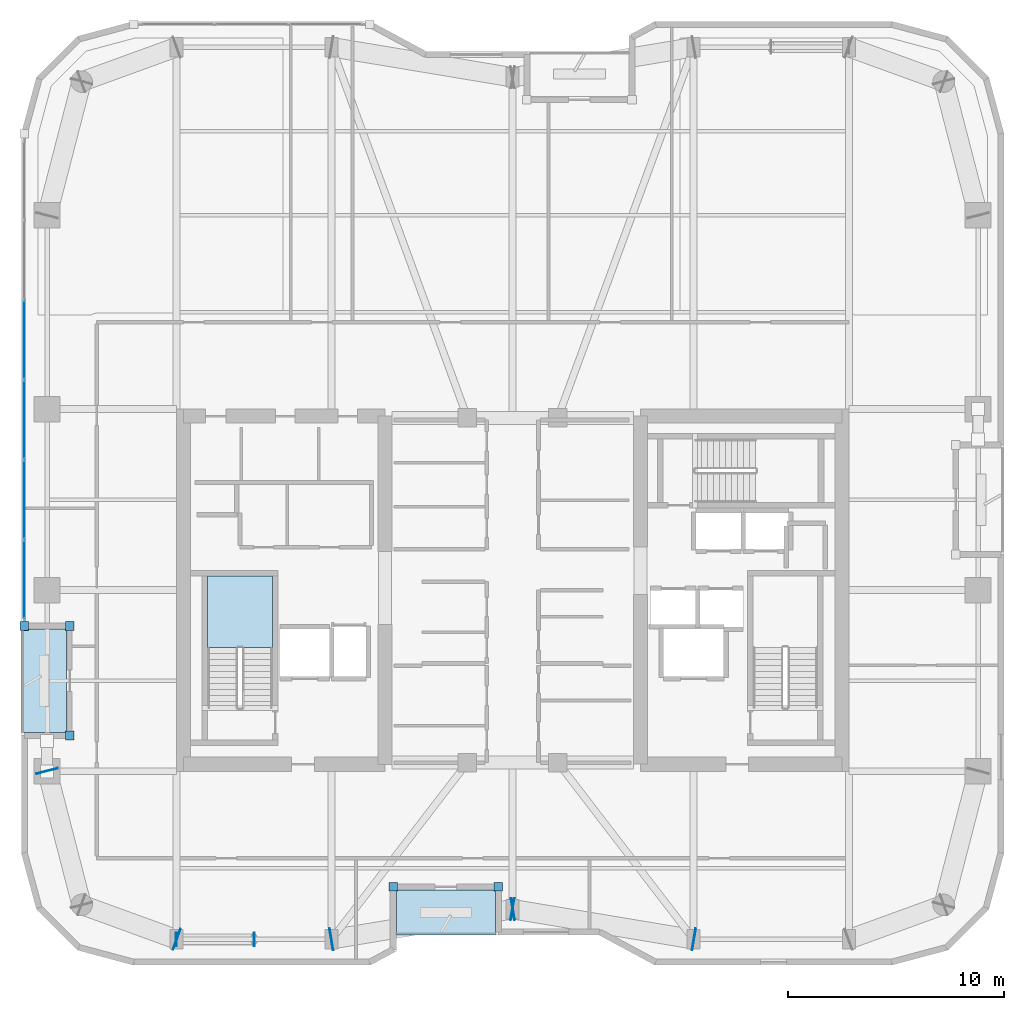
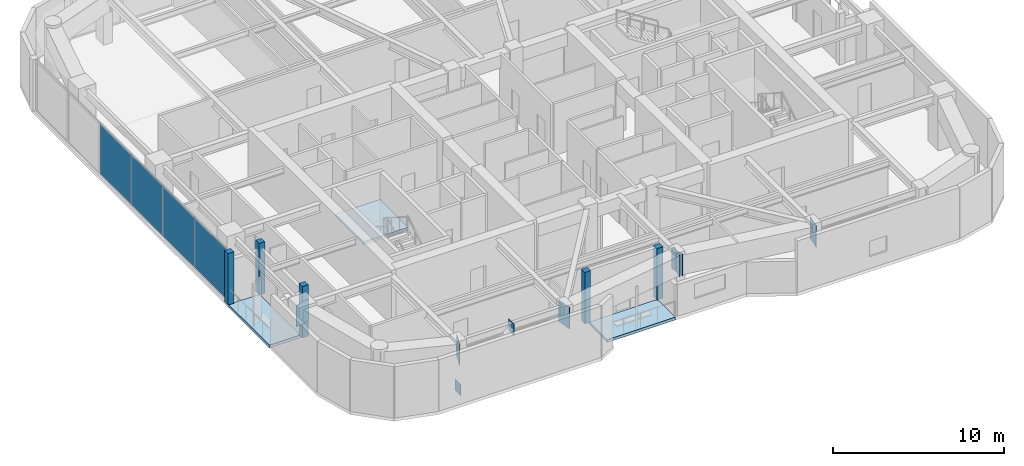
# One storey, part 12 of 21: 17 plates, 3 slabs, 2 elements without a shape of their own.
"""IFC4 building model written with IfcOpenShell, lengths in metres."""

from ifc_helpers import new_model, si_unit, direction, frame, origin, origin_2d, place, context, subcontext, project, spatial, polyline, rectangle, outline, extrude, material, layer, layer_set, type_object, element, aggregate, save


model = new_model("IFC4")

# Units and contexts
model_context = context("Model", 3, precision=1e-05, world=origin(), true_north=direction((0.0, 1.0)))
body_context = subcontext(model_context, "Body", "Model", "MODEL_VIEW")
ifc_project = project(units=[si_unit("LENGTHUNIT", "METRE"), si_unit("AREAUNIT", "SQUARE_METRE"), si_unit("VOLUMEUNIT", "CUBIC_METRE"), si_unit("PLANEANGLEUNIT", "RADIAN"), si_unit("MASSUNIT", "GRAM", prefix="KILO")], contexts=[model_context])

# Site, building, storey
site_placement = place(None, origin())
site = spatial("IfcSite", under=ifc_project, at=site_placement, CompositionType="ELEMENT")
building_placement = place(site_placement, origin())
building = spatial("IfcBuilding", under=site, at=building_placement, Name="Kiyonajd Concourse Tower", CompositionType="ELEMENT")
storey_placement = place(building_placement, frame((0.0, 0.0, 223.199951171875)))
storey = spatial("IfcBuildingStorey", under=building, at=storey_placement, Name="L56", CompositionType="ELEMENT", Elevation=223.199951171875)

# Plates
ifc_material_1 = material(Name="Steel ASTM A572 Grade 50", Category="steel")
ifc_layer_1 = layer(ifc_material_1, 0.028076171875)
ifc_layer_set_1 = layer_set([ifc_layer_1], Name="Steel ASTM A572 Grade 50")
plate_type_1 = type_object("IfcPlateType", Name="PL-CAP-450", PredefinedType="USERDEFINED", material=ifc_layer_set_1)
for number, where, z_axis, x_axis, name in (
    (1, (32.3916015625, 19.800048828125, -0.10888671875), (0.0, 0.0, 1.0), (-1.0, 0.0, 0.0), "L56 Hollow Brace End Cap Plate PBS"),
    (2, (36.00830078125, 19.800048828125, 2.93505859375), (0.0, 0.0, 1.0), (1.0, 0.0, 0.0), "L56 Hollow Brace Top Cap Plate PBS"),
):
    element("IfcPlate", number, at=place(storey_placement, frame(where, z_axis=z_axis, x_axis=x_axis)), inside=storey, type_object=plate_type_1, Name=name, ObjectType="CAP PLATE", PredefinedType="USERDEFINED", context=body_context, shape_type="SweptSolid", body=[
        extrude(rectangle(XDim=0.035888671875, YDim=0.6279296875, at=origin_2d()), origin(), (0.0, 0.0, 1.0), 0.803955078125),
    ])
ifc_layer_2 = layer(ifc_material_1, 0.031982421875)
ifc_layer_set_2 = layer_set([ifc_layer_2], Name="Steel ASTM A572 Grade 50")
plate_type_2 = type_object("IfcPlateType", Name="PL-CAP-540", PredefinedType="USERDEFINED", material=ifc_layer_set_2)
for number, where, z_axis, x_axis, name in (
    (3, (26.397216796875, 27.610595703125, 2.2099609375), (0.0, 0.0, 1.0), (-0.249873048837, 0.968278606324, 0.0), "L56 Welded Box Girder End Cap"),
    (4, (32.410400390625, 19.796142578125, 2.2099609375), (0.0, 0.0, 1.0), (0.939811951086, -0.341692107891, 0.0), "L56 Welded Box Girder End Cap"),
    (5, (39.589111328125, 19.798095703125, 2.2099609375), (0.0, 0.0, 1.0), (-0.986400586142, -0.164359008451, 0.0), "L56 Welded Box Girder End Cap"),
    (6, (48.010986328125, 21.201904296875, 2.2099609375), (0.0, 0.0, 1.0), (0.986400586142, 0.164359008451, 0.0), "L56 Welded Box Girder End Cap"),
    (7, (47.989013671875, 21.201904296875, 2.2099609375), (0.0, 0.0, 1.0), (-0.986400586142, 0.164359008451, 0.0), "L56 Welded Box Girder End Cap"),
    (8, (56.410888671875, 19.798095703125, 2.2099609375), (0.0, 0.0, 1.0), (0.986400586142, -0.164359008451, 0.0), "L56 Welded Box Girder End Cap"),
):
    element("IfcPlate", number, at=place(storey_placement, frame(where, z_axis=z_axis, x_axis=x_axis)), inside=storey, type_object=plate_type_2, Name=name, ObjectType="CAP PLATE", PredefinedType="USERDEFINED", context=body_context, shape_type="SweptSolid", body=[
        extrude(rectangle(XDim=0.035888671875, YDim=1.02001953125, at=origin_2d()), origin(), (0.0, 0.0, 1.0), 1.5400390625),
    ])

# Curtain wall, plates
ifc_material_2 = material(Name="Thermally Broken Anodised Aluminium", Category="aluminium")
ifc_layer_3 = layer(ifc_material_2, 0.179931640625)
ifc_layer_set_3 = layer_set([ifc_layer_3], Name="Thermally Broken Anodised Aluminium")
curtain_wall_type = type_object("IfcCurtainWallType", Name="CW-SYS-04", PredefinedType="NOTDEFINED", material=ifc_layer_set_3)
curtain_wall_placement = place(storey_placement, origin())
curtain_wall = element("IfcCurtainWall", 9, at=curtain_wall_placement, inside=storey, type_object=curtain_wall_type, Name="L56 Unitised Curtain Wall CW4", PredefinedType="NOTDEFINED")
ifc_material_3 = material(Name="Double Low-E Insulated Glass", Category="glass")
ifc_layer_4 = layer(ifc_material_3, 0.033935546875)
ifc_layer_set_4 = layer_set([ifc_layer_4], Name="Double Low-E Insulated Glass")
plate_type_3 = type_object("IfcPlateType", Name="PL-CW-VIS34", PredefinedType="CURTAIN_PANEL", material=ifc_layer_set_4)
plate_1_placement = place(storey_placement, frame((25.340087890625, 36.50146484375, 0.06494140625), z_axis=(0.0, 0.0, 1.0), x_axis=(0.0, 1.0, 0.0)))
plate_1 = element("IfcPlate", 10, at=plate_1_placement, type_object=plate_type_3, Name="CW4 panel 1.1", PredefinedType="CURTAIN_PANEL", context=body_context, shape_type="SweptSolid", body=[
    extrude(rectangle(XDim=3.61279296875, YDim=0.033935546875, at=origin_2d()), origin(), (0.0, 0.0, 1.0), 3.550048828125),
])
plate_2_placement = place(storey_placement, frame((25.340087890625, 40.1953125, 0.06494140625), z_axis=(0.0, 0.0, 1.0), x_axis=(0.0, 1.0, 0.0)))
plate_2 = element("IfcPlate", 11, at=plate_2_placement, type_object=plate_type_3, Name="CW4 panel 2.1", PredefinedType="CURTAIN_PANEL", context=body_context, shape_type="SweptSolid", body=[
    extrude(rectangle(XDim=3.645263671875, YDim=0.033935546875, at=origin_2d()), origin(), (0.0, 0.0, 1.0), 3.550048828125),
])
plate_3_placement = place(storey_placement, frame((25.340087890625, 43.90576171875, 0.06494140625), z_axis=(0.0, 0.0, 1.0), x_axis=(0.0, 1.0, 0.0)))
plate_3 = element("IfcPlate", 12, at=plate_3_placement, type_object=plate_type_3, Name="CW4 panel 3.1", PredefinedType="CURTAIN_PANEL", context=body_context, shape_type="SweptSolid", body=[
    extrude(rectangle(XDim=3.645263671875, YDim=0.033935546875, at=origin_2d()), origin(), (0.0, 0.0, 1.0), 3.550048828125),
])
plate_4_placement = place(storey_placement, frame((25.340087890625, 47.615966796875, 0.06494140625), z_axis=(0.0, 0.0, 1.0), x_axis=(0.0, 1.0, 0.0)))
plate_4 = element("IfcPlate", 13, at=plate_4_placement, type_object=plate_type_3, Name="CW4 panel 4.1", PredefinedType="CURTAIN_PANEL", context=body_context, shape_type="SweptSolid", body=[
    extrude(rectangle(XDim=3.645263671875, YDim=0.033935546875, at=origin_2d()), origin(), (0.0, 0.0, 1.0), 3.550048828125),
])
aggregate(curtain_wall, [plate_1, plate_2, plate_3, plate_4])

# Plates
ifc_layer_5 = layer(ifc_material_2, 0.39990234375)
ifc_layer_set_5 = layer_set([ifc_layer_5], Name="Thermally Broken Anodised Aluminium")
plate_type_4 = type_object("IfcPlateType", Name="PL-JMB-400", PredefinedType="USERDEFINED", material=ifc_layer_set_5)
for number, where, z_axis, x_axis, name in (
    (14, (27.43994140625, 29.260009765625, 0.0), (0.0, 0.0, 1.0), (1.0, 0.0, 0.0), "L56 Facade Jamb Closure Plate 01"),
    (15, (27.43994140625, 34.340087890625, 0.0), (0.0, 0.0, 1.0), (1.0, 0.0, 0.0), "L56 Facade Jamb Closure Plate 02"),
    (16, (25.340087890625, 34.340087890625, 0.0), (0.0, 0.0, 1.0), (1.0, 0.0, 0.0), "L56 Facade Jamb Closure Plate 03"),
    (17, (47.340087890625, 22.239990234375, 0.0), (0.0, 0.0, 1.0), (1.0, 0.0, 0.0), "L56 Facade Jamb Closure Plate 11"),
    (18, (42.4599609375, 22.239990234375, 0.0), (0.0, 0.0, 1.0), (1.0, 0.0, 0.0), "L56 Facade Jamb Closure Plate 12"),
):
    element("IfcPlate", number, at=place(storey_placement, frame(where, z_axis=z_axis, x_axis=x_axis)), inside=storey, type_object=plate_type_4, Name=name, ObjectType="JAMB PLATE", PredefinedType="USERDEFINED", context=body_context, shape_type="SweptSolid", body=[
        extrude(rectangle(XDim=0.39990234375, YDim=0.39990234375, at=origin_2d()), origin(), (0.0, 0.0, 1.0), 3.679931640625),
    ])

# Stair, slab
ifc_material_4 = material(Name="Concrete C40/50", Category="concrete")
stair_type = type_object("IfcStairType", Name="ST-DLG-22R", PredefinedType="HALF_TURN_STAIR", material=ifc_material_4)
stair_placement = place(storey_placement, origin())
stair = element("IfcStair", 19, at=stair_placement, inside=storey, type_object=stair_type, Name="L56 Protected Exit Stair ST1", PredefinedType="HALF_TURN_STAIR")
ifc_layer_6 = layer(ifc_material_4, 0.199951171875)
ifc_layer_set_6 = layer_set([ifc_layer_6], Name="Concrete C40/50")
slab_type_1 = type_object("IfcSlabType", Name="SL-LND-200", PredefinedType="LANDING", material=ifc_layer_set_6)
slab_1_placement = place(storey_placement, frame((0.0, 0.0, 1.75)))
slab_1 = element("IfcSlab", 20, at=slab_1_placement, type_object=slab_type_1, Name="ST1 landing 1", PredefinedType="LANDING", context=body_context, shape_type="SweptSolid", body=[
    extrude(outline(polyline([(36.85009765625, 33.35009765625), (36.85009765625, 36.64990234375), (33.85009765625, 36.64990234375), (33.85009765625, 33.35009765625), (36.85009765625, 33.35009765625)])), origin(), (0.0, 0.0, 1.0), 0.199951171875),
])
aggregate(stair, [slab_1])

# Slabs
ifc_material_5 = material(Name="Precast concrete C50/60", Category="concrete")
ifc_layer_7 = layer(ifc_material_5, 0.199951171875)
ifc_layer_set_7 = layer_set([ifc_layer_7], Name="Precast concrete C50/60")
slab_type_2 = type_object("IfcSlabType", Name="SL-LOG-200", PredefinedType="FLOOR", material=ifc_layer_set_7)
slab_2_placement = place(storey_placement, frame((0.0, 0.0, -0.199951171875)))
element("IfcSlab", 21, at=slab_2_placement, inside=storey, type_object=slab_type_2, Name="L56 Recessed Engawa Loggia Terrace Slab LOG-S", PredefinedType="FLOOR", context=body_context, shape_type="SweptSolid", body=[
    extrude(outline(polyline([(42.60009765625, 20.0), (47.199951171875, 20.0), (47.199951171875, 22.10009765625), (42.60009765625, 22.10009765625), (42.60009765625, 20.0)])), origin(), (0.0, 0.0, 1.0), 0.199951171875),
])
slab_3_placement = place(storey_placement, frame((0.0, 0.0, -0.199951171875)))
element("IfcSlab", 22, at=slab_3_placement, inside=storey, type_object=slab_type_2, Name="L56 Recessed Engawa Loggia Terrace Slab LOG-W", PredefinedType="FLOOR", context=body_context, shape_type="SweptSolid", body=[
    extrude(outline(polyline([(25.199951171875, 29.39990234375), (27.300048828125, 29.39990234375), (27.300048828125, 34.199951171875), (25.199951171875, 34.199951171875), (25.199951171875, 29.39990234375)])), origin(), (0.0, 0.0, 1.0), 0.199951171875),
])

save(model, "model.ifc")
